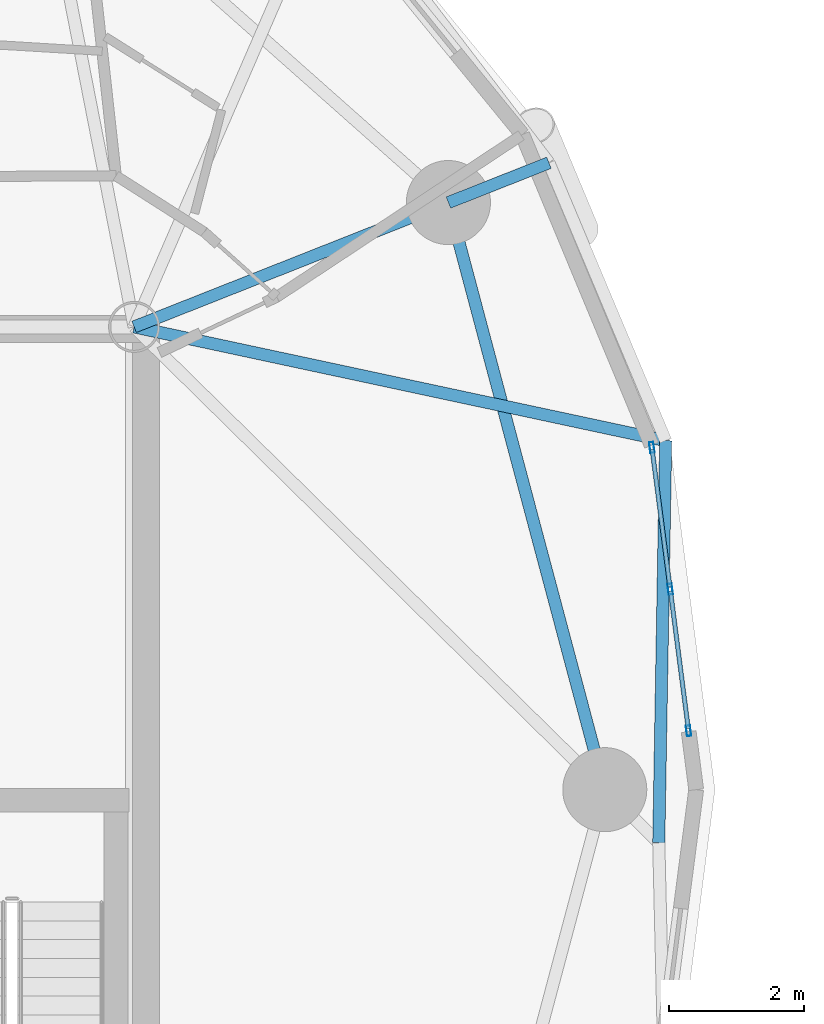
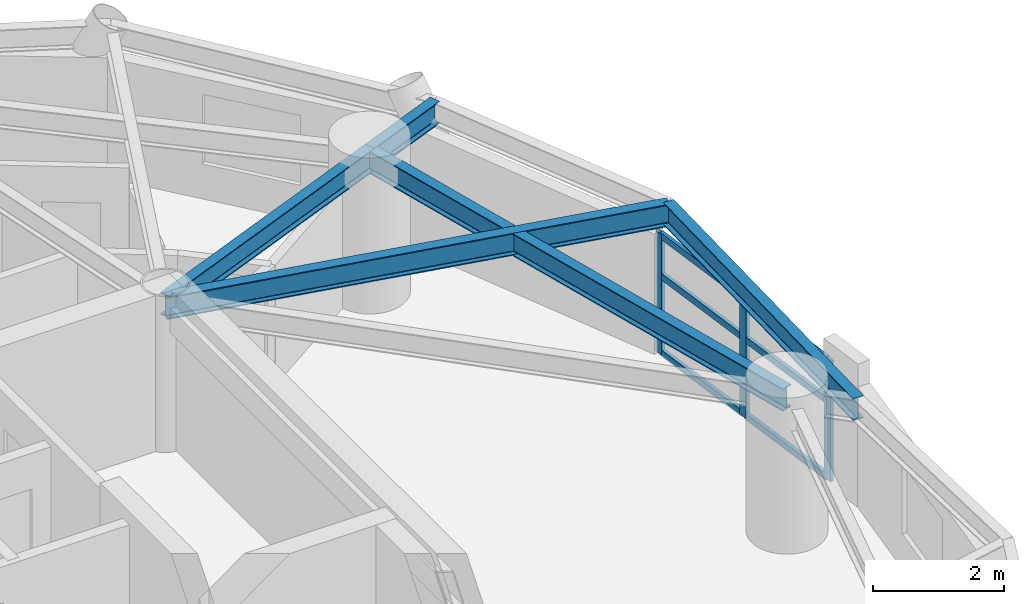
# One storey, part 3 of 17: 9 members, 5 beams, 1 element without a shape of its own.
"""IFC4 building model written with IfcOpenShell, lengths in metres."""

from ifc_helpers import new_model, si_unit, direction, frame, origin, origin_2d, place, context, subcontext, project, spatial, hollow_rectangle, i_section, extrude, material, layer, layer_set, material_profile, profile_set, type_object, element, aggregate, save


model = new_model("IFC4")

# Units and contexts
model_context = context("Model", 3, precision=1e-05, world=origin(), true_north=direction((0.0, 1.0)))
body_context = subcontext(model_context, "Body", "Model", "MODEL_VIEW")
ifc_project = project(units=[si_unit("LENGTHUNIT", "METRE"), si_unit("AREAUNIT", "SQUARE_METRE"), si_unit("VOLUMEUNIT", "CUBIC_METRE"), si_unit("PLANEANGLEUNIT", "RADIAN"), si_unit("MASSUNIT", "GRAM", prefix="KILO")], contexts=[model_context])

# Site, building, storey
site_placement = place(None, origin())
site = spatial("IfcSite", under=ifc_project, at=site_placement, CompositionType="ELEMENT")
building_placement = place(site_placement, origin())
building = spatial("IfcBuilding", under=site, at=building_placement, Name="Cununo Teusaquillo Station Towers", CompositionType="ELEMENT")
storey_placement = place(building_placement, frame((0.0, 0.0, 174.8798828125)))
storey = spatial("IfcBuildingStorey", under=building, at=storey_placement, Name="L55", CompositionType="ELEMENT", Elevation=174.8798828125)

# Beams
ifc_material_1 = material(Name="Steel ASTM A572 Grade 50", Category="steel")
ifc_material_profile_1 = material_profile(ifc_material_1, i_section(OverallWidth=0.180908203125, OverallDepth=0.4169921875, WebThickness=0.010986328125, FlangeThickness=0.018310546875, FilletRadius=0.012939453125, at=origin_2d()), Name="W16X57")
ifc_profile_set_1 = profile_set([ifc_material_profile_1], Name="Steel ASTM A572 Grade 50")
beam_type_1 = type_object("IfcBeamType", Name="BM-JOIST-1", PredefinedType="JOIST", material=ifc_profile_set_1)
beam_1_placement = place(storey_placement, frame((21.675048828125, 31.3798828125, 2.481689453125), z_axis=(0.977854548984, -0.209285644589, 0.0), x_axis=(0.209285644589, 0.977854548984, 0.0)))
element("IfcBeam", 1, at=beam_1_placement, inside=storey, type_object=beam_type_1, Name="L55 Tower A Radial Spandrel Joist V01", PredefinedType="JOIST", context=body_context, shape_type="SweptSolid", body=[
    extrude(i_section(OverallWidth=0.180908203125, OverallDepth=0.4169921875, WebThickness=0.010986328125, FlangeThickness=0.018310546875, FilletRadius=0.012939453125, at=origin_2d()), origin(), (0.0, 0.0, 1.0), 8.081787109375),
])
ifc_material_2 = material(Name="Steel ASTM A572 Grade 50", Category="steel")
ifc_material_profile_2 = material_profile(ifc_material_2, i_section(OverallWidth=0.180908203125, OverallDepth=0.4169921875, WebThickness=0.010986328125, FlangeThickness=0.018310546875, FilletRadius=0.012939453125, at=origin_2d()), Name="W16X57")
ifc_profile_set_2 = profile_set([ifc_material_profile_2], Name="Steel ASTM A572 Grade 50")
beam_type_2 = type_object("IfcBeamType", Name="BM-RAD-G2", PredefinedType="BEAM", material=ifc_profile_set_2)
beam_2_placement = place(storey_placement, frame((21.675048828125, 31.3798828125, 2.481689453125), z_axis=(0.929864104313, 0.367903176814, 0.0), x_axis=(-0.367903176814, 0.929864104313, 0.0)))
element("IfcBeam", 2, at=beam_2_placement, inside=storey, type_object=beam_type_2, Name="L55 Tower A Radial Girder 02A", PredefinedType="BEAM", context=body_context, shape_type="SweptSolid", body=[
    extrude(i_section(OverallWidth=0.180908203125, OverallDepth=0.4169921875, WebThickness=0.010986328125, FlangeThickness=0.018310546875, FilletRadius=0.012939453125, at=origin_2d()), origin(), (0.0, 0.0, 1.0), 5.02490234375),
])
beam_3_placement = place(storey_placement, frame((26.347412109375, 33.228515625, 2.481689453125), z_axis=(0.929873737198, 0.367878829058, 0.0), x_axis=(-0.367878829058, 0.929873737198, 0.0)))
element("IfcBeam", 3, at=beam_3_placement, inside=storey, type_object=beam_type_2, Name="L55 Tower A Perimeter Overhang Girder 02B", PredefinedType="BEAM", context=body_context, shape_type="SweptSolid", body=[
    extrude(i_section(OverallWidth=0.180908203125, OverallDepth=0.4169921875, WebThickness=0.010986328125, FlangeThickness=0.018310546875, FilletRadius=0.012939453125, at=origin_2d()), origin(), (0.0, 0.0, 1.0), 1.607421875),
])
ifc_material_3 = material(Name="Steel ASTM A572 Grade 50", Category="steel")
ifc_material_profile_3 = material_profile(ifc_material_3, i_section(OverallWidth=0.180908203125, OverallDepth=0.4169921875, WebThickness=0.010986328125, FlangeThickness=0.018310546875, FilletRadius=0.012939453125, at=origin_2d()), Name="W16X57")
ifc_profile_set_3 = profile_set([ifc_material_profile_3], Name="Steel ASTM A572 Grade 50")
beam_type_3 = type_object("IfcBeamType", Name="BM-RING-Z3", PredefinedType="SPANDREL", material=ifc_profile_set_3)
beam_4_placement = place(storey_placement, frame((28.672119140625, 24.5, 2.481689453125), z_axis=(-0.257363196347, 0.966314744359, 0.0), x_axis=(-0.966314744359, -0.257363196347, 0.0)))
element("IfcBeam", 4, at=beam_4_placement, inside=storey, type_object=beam_type_3, Name="L55 Tower A Structural Column Ring Girder 01", PredefinedType="SPANDREL", context=body_context, shape_type="SweptSolid", body=[
    extrude(i_section(OverallWidth=0.180908203125, OverallDepth=0.4169921875, WebThickness=0.010986328125, FlangeThickness=0.018310546875, FilletRadius=0.012939453125, at=origin_2d()), origin(), (0.0, 0.0, 1.0), 9.03271484375),
])
beam_5_placement = place(storey_placement, frame((29.474853515625, 23.710693359375, 2.481689453125), z_axis=(0.017232482627, 0.999851509747, 0.0), x_axis=(-0.999851509747, 0.017232482627, 0.0)))
element("IfcBeam", 5, at=beam_5_placement, inside=storey, type_object=beam_type_3, Name="L55 Tower A Spandrel Ring Beam 01", PredefinedType="SPANDREL", context=body_context, shape_type="SweptSolid", body=[
    extrude(i_section(OverallWidth=0.180908203125, OverallDepth=0.4169921875, WebThickness=0.010986328125, FlangeThickness=0.018310546875, FilletRadius=0.012939453125, at=origin_2d()), origin(), (0.0, 0.0, 1.0), 5.978759765625),
])

# Curtain wall, members
ifc_material_4 = material(Name="Operable acoustic tinted low-E double glazing", Category="glass")
ifc_layer = layer(ifc_material_4, 0.179931640625)
ifc_layer_set = layer_set([ifc_layer], Name="Operable acoustic tinted low-E double glazing")
curtain_wall_type = type_object("IfcCurtainWallType", Name="CW-SYS-06", PredefinedType="USERDEFINED", material=ifc_layer_set)
curtain_wall_placement = place(storey_placement, origin())
curtain_wall = element("IfcCurtainWall", 6, at=curtain_wall_placement, inside=storey, type_object=curtain_wall_type, Name="L55 Tower A Facade Curtain Wall C00", ObjectType="OPERABLE GLAZING", PredefinedType="USERDEFINED")
ifc_material_5 = material(Name="Anodised dark bronze aluminium EN AW-6063-T6", Category="aluminium")
ifc_material_profile_4 = material_profile(ifc_material_5, hollow_rectangle(XDim=0.06494140625, YDim=0.159912109375, WallThickness=0.00390625, at=origin_2d()), Name="CW-MULL-65x160")
ifc_profile_set_4 = profile_set([ifc_material_profile_4], Name="Anodised dark bronze aluminium EN AW-6063-T6")
member_type_1 = type_object("IfcMemberType", Name="CWM-160", PredefinedType="MULLION", material=ifc_profile_set_4)
member_1_placement = place(storey_placement, frame((29.372802734375, 29.588134765625, 0.0), z_axis=(0.0, 0.0, 1.0), x_axis=(0.991737283761, 0.128285462927, 0.0)))
member_1 = element("IfcMember", 7, at=member_1_placement, type_object=member_type_1, Name="CW-06 mullion 1", PredefinedType="MULLION", context=body_context, shape_type="SweptSolid", body=[
    extrude(hollow_rectangle(XDim=0.06494140625, YDim=0.159912109375, WallThickness=0.00390625, at=origin_2d()), origin(), (0.0, 0.0, 1.0), 2.2451171875),
])
member_2_placement = place(storey_placement, frame((29.645263671875, 27.481689453125, 0.0), z_axis=(0.0, 0.0, 1.0), x_axis=(0.991737283761, 0.128285462927, 0.0)))
member_2 = element("IfcMember", 8, at=member_2_placement, type_object=member_type_1, Name="CW-06 mullion 2", PredefinedType="MULLION", context=body_context, shape_type="SweptSolid", body=[
    extrude(hollow_rectangle(XDim=0.06494140625, YDim=0.159912109375, WallThickness=0.00390625, at=origin_2d()), origin(), (0.0, 0.0, 1.0), 2.2451171875),
])
member_3_placement = place(storey_placement, frame((29.917724609375, 25.375244140625, 0.0), z_axis=(0.0, 0.0, 1.0), x_axis=(0.991737283761, 0.128285462927, 0.0)))
member_3 = element("IfcMember", 9, at=member_3_placement, type_object=member_type_1, Name="CW-06 mullion 3", PredefinedType="MULLION", context=body_context, shape_type="SweptSolid", body=[
    extrude(hollow_rectangle(XDim=0.06494140625, YDim=0.159912109375, WallThickness=0.00390625, at=origin_2d()), origin(), (0.0, 0.0, 1.0), 2.2451171875),
])
ifc_material_6 = material(Name="Anodised dark bronze aluminium EN AW-6063-T6", Category="aluminium")
ifc_material_profile_5 = material_profile(ifc_material_6, hollow_rectangle(XDim=0.06494140625, YDim=0.1201171875, WallThickness=0.00390625, at=origin_2d()), Name="CW-TRAN-65x120")
ifc_profile_set_5 = profile_set([ifc_material_profile_5], Name="Anodised dark bronze aluminium EN AW-6063-T6")
member_type_2 = type_object("IfcMemberType", Name="CWT-120", PredefinedType="USERDEFINED", material=ifc_profile_set_5)
member_4_placement = place(storey_placement, frame((29.376953125, 29.555908203125, 0.03271484375), z_axis=(0.128294885484, -0.991736064867, 0.0), x_axis=(0.991736064867, 0.128294885484, 0.0)))
member_4 = element("IfcMember", 10, at=member_4_placement, type_object=member_type_2, Name="CW-06 transom 1.1", ObjectType="TRANSOM", PredefinedType="USERDEFINED", context=body_context, shape_type="SweptSolid", body=[
    extrude(hollow_rectangle(XDim=0.06494140625, YDim=0.1201171875, WallThickness=0.00390625, at=origin_2d()), origin(), (0.0, 0.0, 1.0), 2.05908203125),
])
member_5_placement = place(storey_placement, frame((29.376953125, 29.555908203125, 1.459228515625), z_axis=(0.128294885484, -0.991736064867, 0.0), x_axis=(0.991736064867, 0.128294885484, 0.0)))
member_5 = element("IfcMember", 11, at=member_5_placement, type_object=member_type_2, Name="CW-06 transom 1.2", ObjectType="TRANSOM", PredefinedType="USERDEFINED", context=body_context, shape_type="SweptSolid", body=[
    extrude(hollow_rectangle(XDim=0.06494140625, YDim=0.1201171875, WallThickness=0.00390625, at=origin_2d()), origin(), (0.0, 0.0, 1.0), 2.05908203125),
])
member_6_placement = place(storey_placement, frame((29.376953125, 29.555908203125, 2.212646484375), z_axis=(0.128294885484, -0.991736064867, 0.0), x_axis=(0.991736064867, 0.128294885484, 0.0)))
member_6 = element("IfcMember", 12, at=member_6_placement, type_object=member_type_2, Name="CW-06 transom 1.3", ObjectType="TRANSOM", PredefinedType="USERDEFINED", context=body_context, shape_type="SweptSolid", body=[
    extrude(hollow_rectangle(XDim=0.06494140625, YDim=0.1201171875, WallThickness=0.00390625, at=origin_2d()), origin(), (0.0, 0.0, 1.0), 2.05908203125),
])
member_7_placement = place(storey_placement, frame((29.6494140625, 27.449462890625, 0.03271484375), z_axis=(0.128294885484, -0.991736064867, 0.0), x_axis=(0.991736064867, 0.128294885484, 0.0)))
member_7 = element("IfcMember", 13, at=member_7_placement, type_object=member_type_2, Name="CW-06 transom 2.1", ObjectType="TRANSOM", PredefinedType="USERDEFINED", context=body_context, shape_type="SweptSolid", body=[
    extrude(hollow_rectangle(XDim=0.06494140625, YDim=0.1201171875, WallThickness=0.00390625, at=origin_2d()), origin(), (0.0, 0.0, 1.0), 2.05908203125),
])
member_8_placement = place(storey_placement, frame((29.6494140625, 27.449462890625, 1.459228515625), z_axis=(0.128294885484, -0.991736064867, 0.0), x_axis=(0.991736064867, 0.128294885484, 0.0)))
member_8 = element("IfcMember", 14, at=member_8_placement, type_object=member_type_2, Name="CW-06 transom 2.2", ObjectType="TRANSOM", PredefinedType="USERDEFINED", context=body_context, shape_type="SweptSolid", body=[
    extrude(hollow_rectangle(XDim=0.06494140625, YDim=0.1201171875, WallThickness=0.00390625, at=origin_2d()), origin(), (0.0, 0.0, 1.0), 2.05908203125),
])
member_9_placement = place(storey_placement, frame((29.6494140625, 27.449462890625, 2.212646484375), z_axis=(0.128294885484, -0.991736064867, 0.0), x_axis=(0.991736064867, 0.128294885484, 0.0)))
member_9 = element("IfcMember", 15, at=member_9_placement, type_object=member_type_2, Name="CW-06 transom 2.3", ObjectType="TRANSOM", PredefinedType="USERDEFINED", context=body_context, shape_type="SweptSolid", body=[
    extrude(hollow_rectangle(XDim=0.06494140625, YDim=0.1201171875, WallThickness=0.00390625, at=origin_2d()), origin(), (0.0, 0.0, 1.0), 2.05908203125),
])
aggregate(curtain_wall, [member_1, member_2, member_3, member_4, member_5, member_6, member_7, member_8, member_9])

save(model, "model.ifc")
